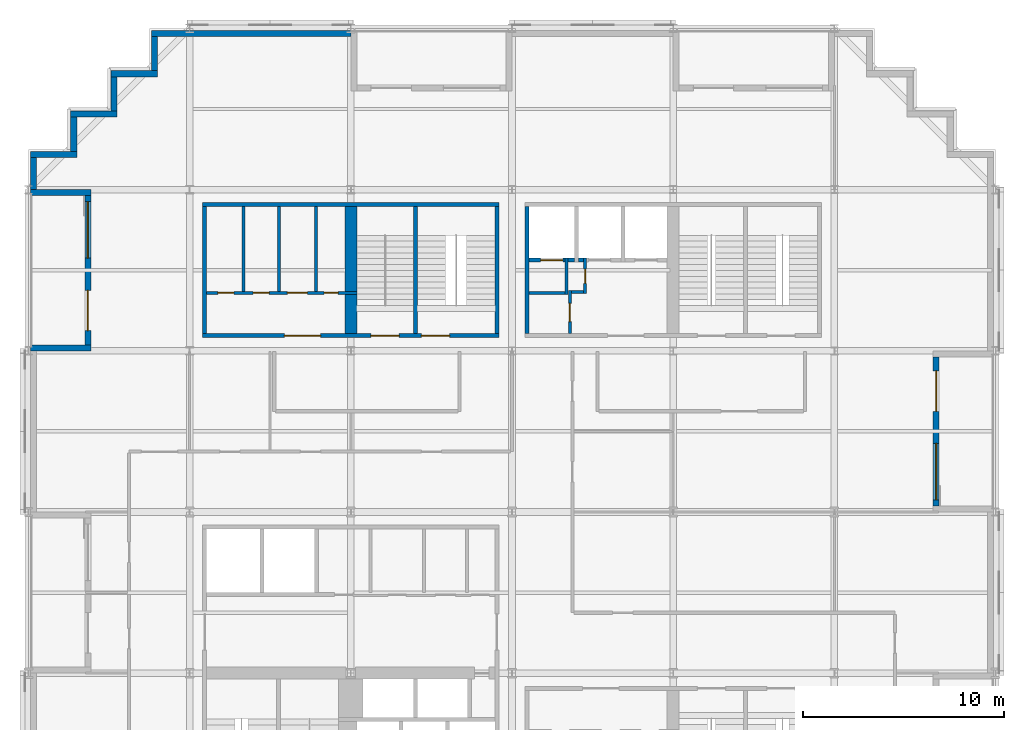
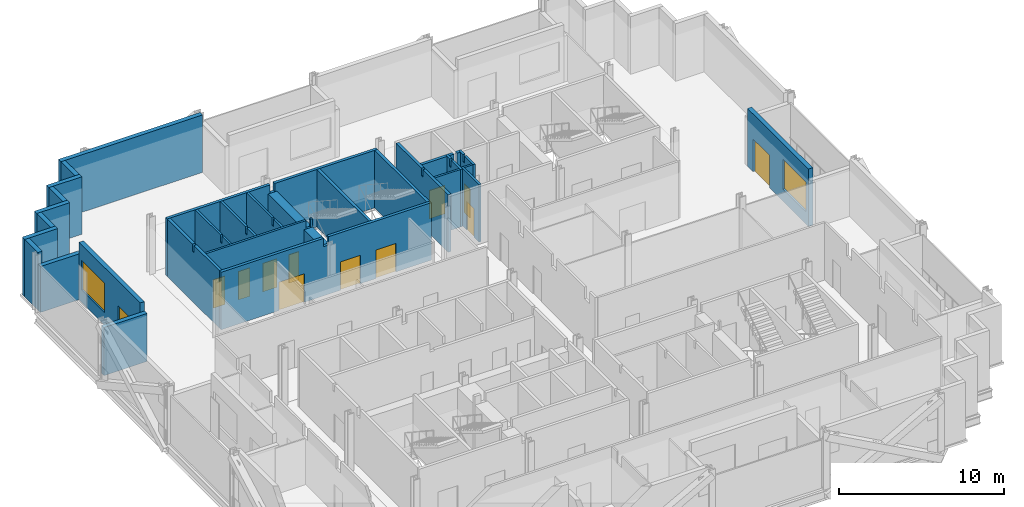
# One storey, part 8 of 12: 32 walls, 12 doors, 2 windows, 14 openings.
"""IFC4 building model written with IfcOpenShell, lengths in metres."""

from ifc_helpers import new_model, si_unit, direction, frame, frame_2d, origin, place, context, subcontext, project, spatial, polyline, rectangle, outline, extrude, material, layer, layer_set, type_object, element, fill, save


model = new_model("IFC4")

# Units and contexts
model_context = context("Model", 3, precision=1e-05, world=origin(), true_north=direction((0.0, 1.0)))
body_context = subcontext(model_context, "Body", "Model", "MODEL_VIEW")
ifc_project = project(units=[si_unit("LENGTHUNIT", "METRE"), si_unit("AREAUNIT", "SQUARE_METRE"), si_unit("VOLUMEUNIT", "CUBIC_METRE"), si_unit("PLANEANGLEUNIT", "RADIAN"), si_unit("MASSUNIT", "GRAM", prefix="KILO")], contexts=[model_context])

# Site, building, storey
site_placement = place(None, origin())
site = spatial("IfcSite", under=ifc_project, at=site_placement, CompositionType="ELEMENT")
building_placement = place(site_placement, origin())
building = spatial("IfcBuilding", under=site, at=building_placement, Name="Immortelle Media Tower", CompositionType="ELEMENT")
storey_placement = place(building_placement, frame((0.0, 0.0, 52.39990234375)))
storey = spatial("IfcBuildingStorey", under=building, at=storey_placement, Name="L08", CompositionType="ELEMENT", Elevation=52.39990234375)

# Wall, openings, doors
ifc_material_1 = material(Name="Fire-rated gypsum board", Category="gypsum")
ifc_layer_1 = layer(ifc_material_1, 0.02490234375)
ifc_material_2 = material(Name="Steel ASTM A653 SS Gr 50 stud frame with mineral wool", Category="steel")
ifc_layer_2 = layer(ifc_material_2, 0.10009765625)
ifc_layer_3 = layer(ifc_material_1, 0.02490234375)
ifc_layer_set_1 = layer_set([ifc_layer_1, ifc_layer_2, ifc_layer_3], Name="Steel ASTM A653 SS Gr 50 stud frame with mineral wool")
wall_type_1 = type_object("IfcWallType", Name="Core partition 150", PredefinedType="PARTITIONING", material=ifc_layer_set_1)
wall_1_placement = place(storey_placement, frame((8.85009765625, 34.875, 0.0), z_axis=(0.0, 0.0, 1.0), x_axis=(1.0, 0.0, 0.0)))
wall_1 = element("IfcWall", 1, at=wall_1_placement, inside=storey, type_object=wall_type_1, Name="Core partition NW", PredefinedType="PARTITIONING", context=body_context, shape_type="SweptSolid", body=[
    extrude(outline(polyline([(0.0, 0.0), (7.449951171875, 0.0), (7.449951171875, 4.25), (7.31689453125, 4.25), (7.31591796875, 3.632080078125), (6.98388671875, 3.632080078125), (6.98291015625, 4.25), (0.0, 4.25), (0.0, 0.0)])), frame((0.0, 0.074951171875, 0.0), z_axis=(0.0, -1.0, 0.0), x_axis=(1.0, 0.0, 0.0)), (0.0, 0.0, 1.0), 0.14990234375),
])
opening_1_placement = place(wall_1_placement, frame((0.550048828125, 0.0, 0.0)))
opening_1 = element("IfcOpeningElement", 2, at=opening_1_placement, cuts=wall_1, Name="Opening N2-K047", PredefinedType="OPENING", context=body_context, shape_type="SweptSolid", body=[
    extrude(rectangle(XDim=0.800048828125, YDim=2.10009765625, at=frame_2d((0.39990234375, 1.050048828125))), frame((0.0, 0.0849609375, 0.0), z_axis=(0.0, -1.0, 0.0), x_axis=(1.0, 0.0, 0.0)), (0.0, 0.0, 1.0), 0.169921875),
])
opening_2_placement = place(wall_1_placement, frame((2.300048828125, 0.0, 0.0)))
opening_2 = element("IfcOpeningElement", 3, at=opening_2_placement, cuts=wall_1, Name="Opening N2-K048", PredefinedType="OPENING", context=body_context, shape_type="SweptSolid", body=[
    extrude(rectangle(XDim=0.800048828125, YDim=2.10009765625, at=frame_2d((0.39990234375, 1.050048828125))), frame((0.0, 0.0849609375, 0.0), z_axis=(0.0, -1.0, 0.0), x_axis=(1.0, 0.0, 0.0)), (0.0, 0.0, 1.0), 0.169921875),
])
opening_3_placement = place(wall_1_placement, frame((4.0, 0.0, 0.0)))
opening_3 = element("IfcOpeningElement", 4, at=opening_3_placement, cuts=wall_1, Name="Opening N2-K049", PredefinedType="OPENING", context=body_context, shape_type="SweptSolid", body=[
    extrude(rectangle(XDim=1.0, YDim=2.10009765625, at=frame_2d((0.5, 1.050048828125))), frame((0.0, 0.0849609375, 0.0), z_axis=(0.0, -1.0, 0.0), x_axis=(1.0, 0.0, 0.0)), (0.0, 0.0, 1.0), 0.169921875),
])
opening_4_placement = place(wall_1_placement, frame((5.824951171875, 0.0, 0.0)))
opening_4 = element("IfcOpeningElement", 5, at=opening_4_placement, cuts=wall_1, Name="Opening N2-K050", PredefinedType="OPENING", context=body_context, shape_type="SweptSolid", body=[
    extrude(rectangle(XDim=0.699951171875, YDim=2.10009765625, at=frame_2d((0.35009765625, 1.050048828125))), frame((0.0, 0.0849609375, 0.0), z_axis=(0.0, -1.0, 0.0), x_axis=(1.0, 0.0, 0.0)), (0.0, 0.0, 1.0), 0.169921875),
])
ifc_material_3 = material(Name="Timber", Category="wood")
door_type_1 = type_object("IfcDoorType", Name="Accessible toilet door 1000 x 2100", OperationType="NOTDEFINED", PredefinedType="NOTDEFINED", material=ifc_material_3)
door_1_placement = place(opening_3_placement, origin())
door_1 = element("IfcDoor", 6, at=door_1_placement, inside=storey, type_object=door_type_1, Name="Accessible toilet N2-K049", OperationType="SINGLE_SWING_RIGHT", OverallHeight=2.10009765625, OverallWidth=1.0, PredefinedType="NOTDEFINED", context=body_context, shape_type="SweptSolid", body=[
    extrude(rectangle(XDim=1.0, YDim=2.10009765625, at=frame_2d((0.5, 1.050048828125))), frame((0.0, 0.02490234375, 0.0), z_axis=(0.0, -1.0, 0.0), x_axis=(1.0, 0.0, 0.0)), (0.0, 0.0, 1.0), 0.050048828125),
])
fill(opening_3, door_1)
ifc_material_4 = material(Name="Galvanised steel door leaf and frame ASTM A653", Category="steel")
door_type_2 = type_object("IfcDoorType", Name="Service door 700 x 2100", OperationType="NOTDEFINED", PredefinedType="NOTDEFINED", material=ifc_material_4)
door_2_placement = place(opening_4_placement, origin())
door_2 = element("IfcDoor", 7, at=door_2_placement, inside=storey, type_object=door_type_2, Name="Service N2-K050", OperationType="SINGLE_SWING_RIGHT", OverallHeight=2.10009765625, OverallWidth=0.699951171875, PredefinedType="NOTDEFINED", context=body_context, shape_type="SweptSolid", body=[
    extrude(rectangle(XDim=0.699951171875, YDim=2.10009765625, at=frame_2d((0.35009765625, 1.050048828125))), frame((0.0, 0.02490234375, 0.0), z_axis=(0.0, -1.0, 0.0), x_axis=(1.0, 0.0, 0.0)), (0.0, 0.0, 1.0), 0.050048828125),
])
fill(opening_4, door_2)
door_type_3 = type_object("IfcDoorType", Name="Toilet door 800 x 2100", OperationType="NOTDEFINED", PredefinedType="NOTDEFINED", material=ifc_material_3)
door_3_placement = place(opening_1_placement, origin())
door_3 = element("IfcDoor", 8, at=door_3_placement, inside=storey, type_object=door_type_3, Name="Toilet N2-K047", OperationType="SINGLE_SWING_LEFT", OverallHeight=2.10009765625, OverallWidth=0.800048828125, PredefinedType="NOTDEFINED", context=body_context, shape_type="SweptSolid", body=[
    extrude(rectangle(XDim=0.800048828125, YDim=2.10009765625, at=frame_2d((0.39990234375, 1.050048828125))), frame((0.0, 0.02490234375, 0.0), z_axis=(0.0, -1.0, 0.0), x_axis=(1.0, 0.0, 0.0)), (0.0, 0.0, 1.0), 0.050048828125),
])
fill(opening_1, door_3)
door_4_placement = place(opening_2_placement, origin())
door_4 = element("IfcDoor", 9, at=door_4_placement, inside=storey, type_object=door_type_3, Name="Toilet N2-K048", OperationType="SINGLE_SWING_RIGHT", OverallHeight=2.10009765625, OverallWidth=0.800048828125, PredefinedType="NOTDEFINED", context=body_context, shape_type="SweptSolid", body=[
    extrude(rectangle(XDim=0.800048828125, YDim=2.10009765625, at=frame_2d((0.39990234375, 1.050048828125))), frame((0.0, 0.02490234375, 0.0), z_axis=(0.0, -1.0, 0.0), x_axis=(1.0, 0.0, 0.0)), (0.0, 0.0, 1.0), 0.050048828125),
])
fill(opening_2, door_4)

# Walls
for number, where, z_axis, x_axis, name in (
    (10, (10.675048828125, 34.949951171875, 0.0), (0.0, 0.0, 1.0), (0.0, 1.0, 0.0), "Core partition NW"),
    (11, (12.425048828125, 34.949951171875, 0.0), (0.0, 0.0, 1.0), (0.0, 1.0, 0.0), "Core partition NW"),
    (12, (14.27490234375, 34.949951171875, 0.0), (0.0, 0.0, 1.0), (0.0, 1.0, 0.0), "Core partition NW"),
):
    element("IfcWall", number, at=place(storey_placement, frame(where, z_axis=z_axis, x_axis=x_axis)), inside=storey, type_object=wall_type_1, Name=name, PredefinedType="PARTITIONING", context=body_context, shape_type="SweptSolid", body=[
        extrude(outline(polyline([(0.0, 0.0), (4.199951171875, 0.0), (4.199951171875, 4.25), (1.138427734375, 4.25), (1.137451171875, 3.7080078125), (0.96240234375, 3.7080078125), (0.96142578125, 4.25), (0.0, 4.25), (0.0, 0.0)])), frame((0.0, 0.074951171875, 0.0), z_axis=(0.0, -1.0, 0.0), x_axis=(1.0, 0.0, 0.0)), (0.0, 0.0, 1.0), 0.14990234375),
    ])
wall_2_placement = place(storey_placement, frame((24.85009765625, 34.875, 0.0), z_axis=(0.0, 0.0, 1.0), x_axis=(1.0, 0.0, 0.0)))
element("IfcWall", 13, at=wall_2_placement, inside=storey, type_object=wall_type_1, Name="Core partition NE", PredefinedType="PARTITIONING", context=body_context, shape_type="SweptSolid", body=[
    extrude(rectangle(XDim=1.77490234375, YDim=0.14990234375, at=frame_2d((0.887451171875, 0.0))), origin(), (0.0, 0.0, 1.0), 4.25),
])
wall_3_placement = place(storey_placement, frame((26.699951171875, 34.800048828125, 0.0), z_axis=(0.0, 0.0, 1.0), x_axis=(0.0, 1.0, 0.0)))
element("IfcWall", 14, at=wall_3_placement, inside=storey, type_object=wall_type_1, Name="Core partition NE", PredefinedType="PARTITIONING", context=body_context, shape_type="SweptSolid", body=[
    extrude(outline(polyline([(0.0, 0.0), (1.800048828125, 0.0), (1.800048828125, 4.25), (1.28857421875, 4.25), (1.28759765625, 3.7080078125), (1.112548828125, 3.7080078125), (1.111572265625, 4.25), (0.0, 4.25), (0.0, 0.0)])), frame((0.0, 0.074951171875, 0.0), z_axis=(0.0, -1.0, 0.0), x_axis=(1.0, 0.0, 0.0)), (0.0, 0.0, 1.0), 0.14990234375),
])

# Wall, opening, door
wall_4_placement = place(storey_placement, frame((26.875, 32.85009765625, 0.0), z_axis=(0.0, 0.0, 1.0), x_axis=(0.0, 1.0, 0.0)))
wall_4 = element("IfcWall", 15, at=wall_4_placement, inside=storey, type_object=wall_type_1, Name="Core partition NE", PredefinedType="PARTITIONING", context=body_context, shape_type="SweptSolid", body=[
    extrude(rectangle(XDim=2.14990234375, YDim=0.14990234375, at=frame_2d((1.074951171875, 0.0))), origin(), (0.0, 0.0, 1.0), 4.25),
])
opening_5_placement = place(wall_4_placement, frame((0.60009765625, 0.0, 0.0)))
opening_5 = element("IfcOpeningElement", 16, at=opening_5_placement, cuts=wall_4, Name="Opening N2-K031", PredefinedType="OPENING", context=body_context, shape_type="SweptSolid", body=[
    extrude(rectangle(XDim=0.89990234375, YDim=2.10009765625, at=frame_2d((0.449951171875, 1.050048828125))), frame((0.0, 0.0849609375, 0.0), z_axis=(0.0, -1.0, 0.0), x_axis=(1.0, 0.0, 0.0)), (0.0, 0.0, 1.0), 0.169921875),
])
door_type_4 = type_object("IfcDoorType", Name="Service door 900 x 2100", OperationType="NOTDEFINED", PredefinedType="NOTDEFINED", material=ifc_material_4)
door_5_placement = place(opening_5_placement, origin())
door_5 = element("IfcDoor", 17, at=door_5_placement, inside=storey, type_object=door_type_4, Name="Service N2-K031", OperationType="SINGLE_SWING_LEFT", OverallHeight=2.10009765625, OverallWidth=0.89990234375, PredefinedType="NOTDEFINED", context=body_context, shape_type="SweptSolid", body=[
    extrude(rectangle(XDim=0.89990234375, YDim=2.10009765625, at=frame_2d((0.449951171875, 1.050048828125))), frame((0.0, 0.02490234375, 0.0), z_axis=(0.0, -1.0, 0.0), x_axis=(1.0, 0.0, 0.0)), (0.0, 0.0, 1.0), 0.050048828125),
])
fill(opening_5, door_5)

# Wall
wall_5_placement = place(storey_placement, frame((26.949951171875, 34.925048828125, 0.0), z_axis=(0.0, 0.0, 1.0), x_axis=(1.0, 0.0, 0.0)))
element("IfcWall", 18, at=wall_5_placement, inside=storey, type_object=wall_type_1, Name="Core partition NE", PredefinedType="PARTITIONING", context=body_context, shape_type="SweptSolid", body=[
    extrude(rectangle(XDim=0.60009765625, YDim=0.14990234375, at=frame_2d((0.300048828125, 0.0))), origin(), (0.0, 0.0, 1.0), 4.25),
])

# Wall, opening, door
wall_6_placement = place(storey_placement, frame((27.625, 34.85009765625, 0.0), z_axis=(0.0, 0.0, 1.0), x_axis=(0.0, 1.0, 0.0)))
wall_6 = element("IfcWall", 19, at=wall_6_placement, inside=storey, type_object=wall_type_1, Name="Core partition NE", PredefinedType="PARTITIONING", context=body_context, shape_type="SweptSolid", body=[
    extrude(outline(polyline([(0.0, 0.0), (1.75, 0.0), (1.75, 4.25), (1.238525390625, 4.25), (1.237548828125, 3.7080078125), (1.0625, 3.7080078125), (1.0615234375, 4.25), (0.0, 4.25), (0.0, 0.0)])), frame((0.0, 0.074951171875, 0.0), z_axis=(0.0, -1.0, 0.0), x_axis=(1.0, 0.0, 0.0)), (0.0, 0.0, 1.0), 0.14990234375),
])
opening_6_placement = place(wall_6_placement, frame((0.5, 0.0, 0.0)))
opening_6 = element("IfcOpeningElement", 20, at=opening_6_placement, cuts=wall_6, Name="Opening N2-K032", PredefinedType="OPENING", context=body_context, shape_type="SweptSolid", body=[
    extrude(rectangle(XDim=0.699951171875, YDim=2.10009765625, at=frame_2d((0.35009765625, 1.050048828125))), frame((0.0, 0.0849609375, 0.0), z_axis=(0.0, -1.0, 0.0), x_axis=(1.0, 0.0, 0.0)), (0.0, 0.0, 1.0), 0.169921875),
])
door_6_placement = place(opening_6_placement, origin())
door_6 = element("IfcDoor", 21, at=door_6_placement, inside=storey, type_object=door_type_2, Name="Service N2-K032", OperationType="SINGLE_SWING_RIGHT", OverallHeight=2.10009765625, OverallWidth=0.699951171875, PredefinedType="NOTDEFINED", context=body_context, shape_type="SweptSolid", body=[
    extrude(rectangle(XDim=0.699951171875, YDim=2.10009765625, at=frame_2d((0.35009765625, 1.050048828125))), frame((0.0, 0.02490234375, 0.0), z_axis=(0.0, -1.0, 0.0), x_axis=(1.0, 0.0, 0.0)), (0.0, 0.0, 1.0), 0.050048828125),
])
fill(opening_6, door_6)

# Walls
ifc_layer_4 = layer(ifc_material_1, 0.03759765625)
ifc_layer_5 = layer(ifc_material_2, 0.125)
ifc_layer_6 = layer(ifc_material_1, 0.03759765625)
ifc_layer_set_2 = layer_set([ifc_layer_4, ifc_layer_5, ifc_layer_6], Name="Steel ASTM A653 SS Gr 50 stud frame with mineral wool")
wall_type_2 = type_object("IfcWallType", Name="Core shaft wall 200", PredefinedType="PARTITIONING", material=ifc_layer_set_2)
for number, where, z_axis, x_axis, name in (
    (22, (8.75, 32.85009765625, 0.0), (0.0, 0.0, 1.0), (0.0, 1.0, 0.0), "Core shaft wall NW"),
    (23, (24.75, 32.85009765625, 0.0), (0.0, 0.0, 1.0), (0.0, 1.0, 0.0), "Core shaft wall NE"),
):
    element("IfcWall", number, at=place(storey_placement, frame(where, z_axis=z_axis, x_axis=x_axis)), inside=storey, type_object=wall_type_2, Name=name, PredefinedType="PARTITIONING", context=body_context, shape_type="SweptSolid", body=[
        extrude(outline(polyline([(0.0, 0.0), (6.2998046875, 0.0), (6.300048828125, 4.25), (3.238525390625, 4.25), (3.237548828125, 3.7080078125), (3.0625, 3.7080078125), (3.0615234375, 4.25), (0.0, 4.25), (0.0, 0.0)])), frame((0.0, 0.10009765625, 0.0), z_axis=(0.0, -1.0, 0.0), x_axis=(1.0, 0.0, 0.0)), (0.0, 0.0, 1.0), 0.199951171875),
    ])

# Wall, opening, door
wall_7_placement = place(storey_placement, frame((24.85009765625, 36.5, 0.0), z_axis=(0.0, 0.0, 1.0), x_axis=(1.0, 0.0, 0.0)))
wall_7 = element("IfcWall", 24, at=wall_7_placement, inside=storey, type_object=wall_type_2, Name="Core shaft wall NE", PredefinedType="PARTITIONING", context=body_context, shape_type="SweptSolid", body=[
    extrude(rectangle(XDim=1.77490234375, YDim=0.199951171875, at=frame_2d((0.887451171875, 0.0))), origin(), (0.0, 0.0, 1.0), 4.25),
])
opening_7_placement = place(wall_7_placement, frame((0.574951171875, 0.0, 0.0)))
opening_7 = element("IfcOpeningElement", 25, at=opening_7_placement, cuts=wall_7, Name="Opening LD", PredefinedType="OPENING", context=body_context, shape_type="SweptSolid", body=[
    extrude(rectangle(XDim=1.10009765625, YDim=2.10009765625, at=frame_2d((0.550048828125, 1.050048828125))), frame((0.0, 0.10986328125, 0.0), z_axis=(0.0, -1.0, 0.0), x_axis=(1.0, 0.0, 0.0)), (0.0, 0.0, 1.0), 0.219970703125),
])
ifc_material_5 = material(Name="Stainless steel AISI 304", Category="steel")
door_type_5 = type_object("IfcDoorType", Name="Landing door 1100 x 2100", OperationType="SLIDING_TO_LEFT", PredefinedType="NOTDEFINED", material=ifc_material_5)
door_7_placement = place(opening_7_placement, origin())
door_7 = element("IfcDoor", 26, at=door_7_placement, inside=storey, type_object=door_type_5, Name="Landing door LR1 L08", OperationType="SLIDING_TO_LEFT", OverallHeight=2.10009765625, OverallWidth=1.10009765625, PredefinedType="NOTDEFINED", context=body_context, shape_type="SweptSolid", body=[
    extrude(rectangle(XDim=1.10009765625, YDim=2.10009765625, at=frame_2d((0.550048828125, 1.050048828125))), frame((0.0, 0.02490234375, 0.0), z_axis=(0.0, -1.0, 0.0), x_axis=(1.0, 0.0, 0.0)), (0.0, 0.0, 1.0), 0.050048828125),
])
fill(opening_7, door_7)

# Walls
wall_8_placement = place(storey_placement, frame((26.77490234375, 36.5, 0.0), z_axis=(0.0, 0.0, 1.0), x_axis=(1.0, 0.0, 0.0)))
element("IfcWall", 27, at=wall_8_placement, inside=storey, type_object=wall_type_2, Name="Core shaft wall NE", PredefinedType="PARTITIONING", context=body_context, shape_type="SweptSolid", body=[
    extrude(rectangle(XDim=0.3251953125, YDim=0.199951171875, at=frame_2d((0.16259765625, 0.0))), origin(), (0.0, 0.0, 1.0), 4.25),
])
wall_9_placement = place(storey_placement, frame((27.300048828125, 36.5, 0.0), z_axis=(0.0, 0.0, 1.0), x_axis=(1.0, 0.0, 0.0)))
element("IfcWall", 28, at=wall_9_placement, inside=storey, type_object=wall_type_2, Name="Core shaft wall NE", PredefinedType="PARTITIONING", context=body_context, shape_type="SweptSolid", body=[
    extrude(rectangle(XDim=0.25, YDim=0.199951171875, at=frame_2d((0.125, 0.0))), origin(), (0.0, 0.0, 1.0), 4.25),
])
ifc_material_6 = material(Name="Pale aluminium cladding panel", Category="aluminium")
ifc_layer_7 = layer(ifc_material_6, 0.030029296875)
ifc_layer_8 = layer(ifc_material_2, 0.257568359375)
ifc_material_7 = material(Name="Moisture-resistant gypsum board", Category="gypsum")
ifc_layer_9 = layer(ifc_material_7, 0.012451171875)
ifc_layer_set_3 = layer_set([ifc_layer_7, ifc_layer_8, ifc_layer_9], Name="Steel ASTM A653 SS Gr 50 stud frame with mineral wool")
wall_type_3 = type_object("IfcWallType", Name="Facade wall 300", PredefinedType="SOLIDWALL", material=ifc_layer_set_3)
wall_10_placement = place(storey_placement, frame((0.25, 41.60009765625, 0.0), z_axis=(0.0, 0.0, 1.0), x_axis=(0.0, -1.0, 0.0)))
element("IfcWall", 29, at=wall_10_placement, inside=storey, type_object=wall_type_3, Name="Facade wall L08 W0", PredefinedType="SOLIDWALL", context=body_context, shape_type="SweptSolid", body=[
    extrude(rectangle(XDim=1.60009765625, YDim=0.300048828125, at=frame_2d((0.800048828125, 0.0))), origin(), (0.0, 0.0, 1.0), 4.25),
])

# Wall, openings, door, window
wall_11_placement = place(storey_placement, frame((2.949951171875, 39.699951171875, 0.0), z_axis=(0.0, 0.0, 1.0), x_axis=(0.0, -1.0, 0.0)))
wall_11 = element("IfcWall", 30, at=wall_11_placement, inside=storey, type_object=wall_type_3, Name="Loggia wall L08 W0", PredefinedType="SOLIDWALL", context=body_context, shape_type="SweptSolid", body=[
    extrude(rectangle(XDim=7.39990234375, YDim=0.300048828125, at=frame_2d((3.699951171875, 0.0))), origin(), (0.0, 0.0, 1.0), 4.25),
])
opening_8_placement = place(wall_11_placement, frame((0.300048828125, 0.0, 0.89990234375)))
opening_8 = element("IfcOpeningElement", 31, at=opening_8_placement, cuts=wall_11, Name="Opening W1", PredefinedType="OPENING", context=body_context, shape_type="SweptSolid", body=[
    extrude(rectangle(XDim=2.800048828125, YDim=2.199951171875, at=frame_2d((1.39990234375, 1.10009765625))), frame((0.0, 0.159912109375, 0.0), z_axis=(0.0, -1.0, 0.0), x_axis=(1.0, 0.0, 0.0)), (0.0, 0.0, 1.0), 0.320068359375),
])
opening_9_placement = place(wall_11_placement, frame((4.699951171875, 0.0, 0.0)))
opening_9 = element("IfcOpeningElement", 32, at=opening_9_placement, cuts=wall_11, Name="Opening N2-E001", PredefinedType="OPENING", context=body_context, shape_type="SweptSolid", body=[
    extrude(rectangle(XDim=2.0, YDim=2.39990234375, at=frame_2d((1.0, 1.199951171875))), frame((0.0, 0.159912109375, 0.0), z_axis=(0.0, -1.0, 0.0), x_axis=(1.0, 0.0, 0.0)), (0.0, 0.0, 1.0), 0.320068359375),
])
ifc_material_8 = material(Name="Aluminium frame, glazed leaves", Category="aluminium")
door_type_6 = type_object("IfcDoorType", Name="Loggia door 2000 x 2400", OperationType="DOUBLE_DOOR_SINGLE_SWING", PredefinedType="DOOR", material=ifc_material_8)
door_8_placement = place(opening_9_placement, origin())
door_8 = element("IfcDoor", 33, at=door_8_placement, inside=storey, type_object=door_type_6, Name="Door N2-E001", OperationType="DOUBLE_DOOR_SINGLE_SWING", OverallHeight=2.39990234375, OverallWidth=2.0, PredefinedType="DOOR", context=body_context, shape_type="SweptSolid", body=[
    extrude(rectangle(XDim=2.0, YDim=2.39990234375, at=frame_2d((1.0, 1.199951171875))), frame((0.0, 0.02490234375, 0.0), z_axis=(0.0, -1.0, 0.0), x_axis=(1.0, 0.0, 0.0)), (0.0, 0.0, 1.0), 0.050048828125),
])
fill(opening_9, door_8)
ifc_material_9 = material(Name="Aluminium frame", Category="aluminium")
window_type = type_object("IfcWindowType", Name="Window 2800 x 2200", PartitioningType="SINGLE_PANEL", PredefinedType="WINDOW", material=ifc_material_9)
window_1_placement = place(opening_8_placement, origin())
window_1 = element("IfcWindow", 34, at=window_1_placement, inside=storey, type_object=window_type, Name="Window L08 L08-R0-B0", OverallHeight=2.199951171875, OverallWidth=2.800048828125, PartitioningType="SINGLE_PANEL", PredefinedType="WINDOW", context=body_context, shape_type="SweptSolid", body=[
    extrude(rectangle(XDim=2.800048828125, YDim=2.199951171875, at=frame_2d((1.39990234375, 1.10009765625))), frame((0.0, 0.030029296875, 0.0), z_axis=(0.0, -1.0, 0.0), x_axis=(1.0, 0.0, 0.0)), (0.0, 0.0, 1.0), 0.06005859375),
])
fill(opening_8, window_1)

# Walls
wall_12_placement = place(storey_placement, frame((0.10009765625, 39.85009765625, 0.0), z_axis=(0.0, 0.0, 1.0), x_axis=(1.0, 0.0, 0.0)))
element("IfcWall", 35, at=wall_12_placement, inside=storey, type_object=wall_type_3, Name="Loggia cheek wall L08 W", PredefinedType="SOLIDWALL", context=body_context, shape_type="SweptSolid", body=[
    extrude(rectangle(XDim=3.0, YDim=0.300048828125, at=frame_2d((1.5, 0.0))), origin(), (0.0, 0.0, 1.0), 3.39013671875),
])
wall_13_placement = place(storey_placement, frame((0.10009765625, 32.14990234375, 0.0), z_axis=(0.0, 0.0, 1.0), x_axis=(1.0, 0.0, 0.0)))
element("IfcWall", 36, at=wall_13_placement, inside=storey, type_object=wall_type_3, Name="Loggia cheek wall L08 W", PredefinedType="SOLIDWALL", context=body_context, shape_type="SweptSolid", body=[
    extrude(rectangle(XDim=3.0, YDim=0.300048828125, at=frame_2d((1.5, 0.0))), origin(), (0.0, 0.0, 1.0), 3.552978515625),
])

# Wall, openings, door, window
wall_14_placement = place(storey_placement, frame((45.050048828125, 24.300048828125, 0.0), z_axis=(0.0, 0.0, 1.0), x_axis=(0.0, 1.0, 0.0)))
wall_14 = element("IfcWall", 37, at=wall_14_placement, inside=storey, type_object=wall_type_3, Name="Loggia wall L08 E14", PredefinedType="SOLIDWALL", context=body_context, shape_type="SweptSolid", body=[
    extrude(rectangle(XDim=7.39990234375, YDim=0.300048828125, at=frame_2d((3.699951171875, 0.0))), origin(), (0.0, 0.0, 1.0), 4.25),
])
opening_10_placement = place(wall_14_placement, frame((0.300048828125, 0.0, 0.89990234375)))
opening_10 = element("IfcOpeningElement", 38, at=opening_10_placement, cuts=wall_14, Name="Opening W1", PredefinedType="OPENING", context=body_context, shape_type="SweptSolid", body=[
    extrude(rectangle(XDim=2.800048828125, YDim=2.199951171875, at=frame_2d((1.39990234375, 1.10009765625))), frame((0.0, 0.159912109375, 0.0), z_axis=(0.0, -1.0, 0.0), x_axis=(1.0, 0.0, 0.0)), (0.0, 0.0, 1.0), 0.320068359375),
])
opening_11_placement = place(wall_14_placement, frame((4.699951171875, 0.0, 0.0)))
opening_11 = element("IfcOpeningElement", 39, at=opening_11_placement, cuts=wall_14, Name="Opening N2-E006", PredefinedType="OPENING", context=body_context, shape_type="SweptSolid", body=[
    extrude(rectangle(XDim=2.0, YDim=2.39990234375, at=frame_2d((1.0, 1.199951171875))), frame((0.0, 0.159912109375, 0.0), z_axis=(0.0, -1.0, 0.0), x_axis=(1.0, 0.0, 0.0)), (0.0, 0.0, 1.0), 0.320068359375),
])
door_9_placement = place(opening_11_placement, origin())
door_9 = element("IfcDoor", 40, at=door_9_placement, inside=storey, type_object=door_type_6, Name="Door N2-E006", OperationType="DOUBLE_DOOR_SINGLE_SWING", OverallHeight=2.39990234375, OverallWidth=2.0, PredefinedType="DOOR", context=body_context, shape_type="SweptSolid", body=[
    extrude(rectangle(XDim=2.0, YDim=2.39990234375, at=frame_2d((1.0, 1.199951171875))), frame((0.0, 0.02490234375, 0.0), z_axis=(0.0, -1.0, 0.0), x_axis=(1.0, 0.0, 0.0)), (0.0, 0.0, 1.0), 0.050048828125),
])
fill(opening_11, door_9)
window_2_placement = place(opening_10_placement, origin())
window_2 = element("IfcWindow", 41, at=window_2_placement, inside=storey, type_object=window_type, Name="Window L08 L08-R14-B2", OverallHeight=2.199951171875, OverallWidth=2.800048828125, PartitioningType="SINGLE_PANEL", PredefinedType="WINDOW", context=body_context, shape_type="SweptSolid", body=[
    extrude(rectangle(XDim=2.800048828125, YDim=2.199951171875, at=frame_2d((1.39990234375, 1.10009765625))), frame((0.0, 0.030029296875, 0.0), z_axis=(0.0, -1.0, 0.0), x_axis=(1.0, 0.0, 0.0)), (0.0, 0.0, 1.0), 0.06005859375),
])
fill(opening_10, window_2)

# Walls
wall_15_placement = place(storey_placement, frame((16.0, 47.75, 0.0), z_axis=(0.0, 0.0, 1.0), x_axis=(-1.0, 0.0, 0.0)))
element("IfcWall", 42, at=wall_15_placement, inside=storey, type_object=wall_type_3, Name="Facade wall L08 N21", PredefinedType="SOLIDWALL", context=body_context, shape_type="SweptSolid", body=[
    extrude(rectangle(XDim=9.89990234375, YDim=0.300048828125, at=frame_2d((4.949951171875, 0.0))), origin(), (0.0, 0.0, 1.0), 4.25),
])
wall_16_placement = place(storey_placement, frame((6.25, 47.60009765625, 0.0), z_axis=(0.0, 0.0, 1.0), x_axis=(0.0, -1.0, 0.0)))
element("IfcWall", 43, at=wall_16_placement, inside=storey, type_object=wall_type_3, Name="Facade wall L08 W22", PredefinedType="SOLIDWALL", context=body_context, shape_type="SweptSolid", body=[
    extrude(rectangle(XDim=1.7001953125, YDim=0.300048828125, at=frame_2d((0.85009765625, 0.0))), origin(), (0.0, 0.0, 1.0), 4.25),
])
wall_17_placement = place(storey_placement, frame((6.39990234375, 45.75, 0.0), z_axis=(0.0, 0.0, 1.0), x_axis=(-1.0, 0.0, 0.0)))
element("IfcWall", 44, at=wall_17_placement, inside=storey, type_object=wall_type_3, Name="Facade wall L08 N23", PredefinedType="SOLIDWALL", context=body_context, shape_type="SweptSolid", body=[
    extrude(rectangle(XDim=2.2998046875, YDim=0.300048828125, at=frame_2d((1.14990234375, 0.0))), origin(), (0.0, 0.0, 1.0), 4.25),
])
wall_18_placement = place(storey_placement, frame((4.25, 45.60009765625, 0.0), z_axis=(0.0, 0.0, 1.0), x_axis=(0.0, -1.0, 0.0)))
element("IfcWall", 45, at=wall_18_placement, inside=storey, type_object=wall_type_3, Name="Facade wall L08 W24", PredefinedType="SOLIDWALL", context=body_context, shape_type="SweptSolid", body=[
    extrude(rectangle(XDim=1.7001953125, YDim=0.300048828125, at=frame_2d((0.85009765625, 0.0))), origin(), (0.0, 0.0, 1.0), 4.25),
])
wall_19_placement = place(storey_placement, frame((4.39990234375, 43.75, 0.0), z_axis=(0.0, 0.0, 1.0), x_axis=(-1.0, 0.0, 0.0)))
element("IfcWall", 46, at=wall_19_placement, inside=storey, type_object=wall_type_3, Name="Facade wall L08 N25", PredefinedType="SOLIDWALL", context=body_context, shape_type="SweptSolid", body=[
    extrude(rectangle(XDim=2.2998046875, YDim=0.300048828125, at=frame_2d((1.14990234375, 0.0))), origin(), (0.0, 0.0, 1.0), 4.25),
])
wall_20_placement = place(storey_placement, frame((2.25, 43.60009765625, 0.0), z_axis=(0.0, 0.0, 1.0), x_axis=(0.0, -1.0, 0.0)))
element("IfcWall", 47, at=wall_20_placement, inside=storey, type_object=wall_type_3, Name="Facade wall L08 W26", PredefinedType="SOLIDWALL", context=body_context, shape_type="SweptSolid", body=[
    extrude(rectangle(XDim=1.7001953125, YDim=0.300048828125, at=frame_2d((0.85009765625, 0.0))), origin(), (0.0, 0.0, 1.0), 4.25),
])
wall_21_placement = place(storey_placement, frame((2.39990234375, 41.75, 0.0), z_axis=(0.0, 0.0, 1.0), x_axis=(-1.0, 0.0, 0.0)))
element("IfcWall", 48, at=wall_21_placement, inside=storey, type_object=wall_type_3, Name="Facade wall L08 N27", PredefinedType="SOLIDWALL", context=body_context, shape_type="SweptSolid", body=[
    extrude(rectangle(XDim=2.2998046875, YDim=0.300048828125, at=frame_2d((1.14990234375, 0.0))), origin(), (0.0, 0.0, 1.0), 4.25),
])

# Wall, openings, doors
ifc_material_10 = material(Name="Concrete C60", Category="concrete")
ifc_layer_10 = layer(ifc_material_10, 0.199951171875)
ifc_layer_set_4 = layer_set([ifc_layer_10], Name="Concrete C60")
wall_type_4 = type_object("IfcWallType", Name="Stair shaft wall 200", PredefinedType="PARTITIONING", material=ifc_layer_set_4)
wall_22_placement = place(storey_placement, frame((8.64990234375, 32.75, 0.0), z_axis=(0.0, 0.0, 1.0), x_axis=(1.0, 0.0, 0.0)))
wall_22 = element("IfcWall", 49, at=wall_22_placement, inside=storey, type_object=wall_type_4, Name="Stair shaft wall NW", PredefinedType="PARTITIONING", context=body_context, shape_type="SweptSolid", body=[
    extrude(outline(polyline([(0.0, 0.0), (14.7001953125, 0.0), (14.699951171875, 4.25), (7.51708984375, 4.25), (7.51611328125, 3.632080078125), (7.18408203125, 3.632080078125), (7.18310546875, 4.25), (0.0, 4.25), (0.0, 0.0)])), frame((0.0, 0.10009765625, 0.0), z_axis=(0.0, -1.0, 0.0), x_axis=(1.0, 0.0, 0.0)), (0.0, 0.0, 1.0), 0.199951171875),
])
opening_12_placement = place(wall_22_placement, frame((4.050048828125, 0.0, 0.0)))
opening_12 = element("IfcOpeningElement", 50, at=opening_12_placement, cuts=wall_22, Name="Opening N2-K026", PredefinedType="OPENING", context=body_context, shape_type="SweptSolid", body=[
    extrude(rectangle(XDim=1.800048828125, YDim=2.10009765625, at=frame_2d((0.89990234375, 1.050048828125))), frame((0.0, 0.10986328125, 0.0), z_axis=(0.0, -1.0, 0.0), x_axis=(1.0, 0.0, 0.0)), (0.0, 0.0, 1.0), 0.219970703125),
])
opening_13_placement = place(wall_22_placement, frame((8.35009765625, 0.0, 0.0)))
opening_13 = element("IfcOpeningElement", 51, at=opening_13_placement, cuts=wall_22, Name="Opening N2-K028", PredefinedType="OPENING", context=body_context, shape_type="SweptSolid", body=[
    extrude(rectangle(XDim=1.39990234375, YDim=2.10009765625, at=frame_2d((0.699951171875, 1.050048828125))), frame((0.0, 0.10986328125, 0.0), z_axis=(0.0, -1.0, 0.0), x_axis=(1.0, 0.0, 0.0)), (0.0, 0.0, 1.0), 0.219970703125),
])
opening_14_placement = place(wall_22_placement, frame((10.85009765625, 0.0, 0.0)))
opening_14 = element("IfcOpeningElement", 52, at=opening_14_placement, cuts=wall_22, Name="Opening N2-K029", PredefinedType="OPENING", context=body_context, shape_type="SweptSolid", body=[
    extrude(rectangle(XDim=1.39990234375, YDim=2.10009765625, at=frame_2d((0.699951171875, 1.050048828125))), frame((0.0, 0.10986328125, 0.0), z_axis=(0.0, -1.0, 0.0), x_axis=(1.0, 0.0, 0.0)), (0.0, 0.0, 1.0), 0.219970703125),
])
door_type_7 = type_object("IfcDoorType", Name="Lift lobby door 1800 x 2100", OperationType="DOUBLE_DOOR_SINGLE_SWING", PredefinedType="NOTDEFINED", material=ifc_material_4)
door_10_placement = place(opening_12_placement, origin())
door_10 = element("IfcDoor", 53, at=door_10_placement, inside=storey, type_object=door_type_7, Name="Lift lobby N2-K026", OperationType="DOUBLE_DOOR_SINGLE_SWING", OverallHeight=2.10009765625, OverallWidth=1.800048828125, PredefinedType="NOTDEFINED", context=body_context, shape_type="SweptSolid", body=[
    extrude(rectangle(XDim=1.800048828125, YDim=2.10009765625, at=frame_2d((0.89990234375, 1.050048828125))), frame((0.0, 0.02490234375, 0.0), z_axis=(0.0, -1.0, 0.0), x_axis=(1.0, 0.0, 0.0)), (0.0, 0.0, 1.0), 0.050048828125),
])
fill(opening_12, door_10)
door_type_8 = type_object("IfcDoorType", Name="Stair door 1400 x 2100", OperationType="DOUBLE_DOOR_SINGLE_SWING", PredefinedType="NOTDEFINED", material=ifc_material_4)
door_11_placement = place(opening_13_placement, origin())
door_11 = element("IfcDoor", 54, at=door_11_placement, inside=storey, type_object=door_type_8, Name="Stair N2-K028", OperationType="DOUBLE_DOOR_SINGLE_SWING", OverallHeight=2.10009765625, OverallWidth=1.39990234375, PredefinedType="NOTDEFINED", context=body_context, shape_type="SweptSolid", body=[
    extrude(rectangle(XDim=1.39990234375, YDim=2.10009765625, at=frame_2d((0.699951171875, 1.050048828125))), frame((0.0, 0.02490234375, 0.0), z_axis=(0.0, -1.0, 0.0), x_axis=(1.0, 0.0, 0.0)), (0.0, 0.0, 1.0), 0.050048828125),
])
fill(opening_13, door_11)
door_12_placement = place(opening_14_placement, origin())
door_12 = element("IfcDoor", 55, at=door_12_placement, inside=storey, type_object=door_type_8, Name="Stair N2-K029", OperationType="DOUBLE_DOOR_SINGLE_SWING", OverallHeight=2.10009765625, OverallWidth=1.39990234375, PredefinedType="NOTDEFINED", context=body_context, shape_type="SweptSolid", body=[
    extrude(rectangle(XDim=1.39990234375, YDim=2.10009765625, at=frame_2d((0.699951171875, 1.050048828125))), frame((0.0, 0.02490234375, 0.0), z_axis=(0.0, -1.0, 0.0), x_axis=(1.0, 0.0, 0.0)), (0.0, 0.0, 1.0), 0.050048828125),
])
fill(opening_14, door_12)

# Walls
wall_23_placement = place(storey_placement, frame((8.64990234375, 39.25, 0.0), z_axis=(0.0, 0.0, 1.0), x_axis=(1.0, 0.0, 0.0)))
element("IfcWall", 56, at=wall_23_placement, inside=storey, type_object=wall_type_4, Name="Stair shaft wall NW", PredefinedType="PARTITIONING", context=body_context, shape_type="SweptSolid", body=[
    extrude(outline(polyline([(0.0, 0.0), (14.7001953125, 0.0), (14.699951171875, 4.25), (7.51708984375, 4.25), (7.51611328125, 3.632080078125), (7.18408203125, 3.632080078125), (7.18310546875, 4.25), (0.0, 4.25), (0.0, 0.0)])), frame((0.0, 0.10009765625, 0.0), z_axis=(0.0, -1.0, 0.0), x_axis=(1.0, 0.0, 0.0)), (0.0, 0.0, 1.0), 0.199951171875),
])
for number, where, z_axis, x_axis, name in (
    (57, (19.199951171875, 32.85009765625, 0.0), (0.0, 0.0, 1.0), (0.0, 1.0, 0.0), "Stair shaft wall NW"),
    (58, (23.25, 32.85009765625, 0.0), (0.0, 0.0, 1.0), (0.0, 1.0, 0.0), "Stair shaft wall NW"),
):
    element("IfcWall", number, at=place(storey_placement, frame(where, z_axis=z_axis, x_axis=x_axis)), inside=storey, type_object=wall_type_4, Name=name, PredefinedType="PARTITIONING", context=body_context, shape_type="SweptSolid", body=[
        extrude(rectangle(XDim=6.2998046875, YDim=0.199951171875, at=frame_2d((3.14990234375, 0.0))), origin(), (0.0, 0.0, 1.0), 4.25),
    ])
ifc_layer_11 = layer(ifc_material_10, 0.60009765625)
ifc_layer_set_5 = layer_set([ifc_layer_11], Name="Concrete C60")
wall_type_5 = type_object("IfcWallType", Name="Stair shaft wall 600", PredefinedType="PARTITIONING", material=ifc_layer_set_5)
wall_24_placement = place(storey_placement, frame((16.0, 32.85009765625, 0.0), z_axis=(0.0, 0.0, 1.0), x_axis=(0.0, 1.0, 0.0)))
element("IfcWall", 59, at=wall_24_placement, inside=storey, type_object=wall_type_5, Name="Stair shaft wall NW", PredefinedType="PARTITIONING", context=body_context, shape_type="SweptSolid", body=[
    extrude(rectangle(XDim=1.949951171875, YDim=0.60009765625, at=frame_2d((0.97509765625, 0.0))), origin(), (0.0, 0.0, 1.0), 3.632080078125),
])
wall_25_placement = place(storey_placement, frame((16.0, 34.949951171875, 0.0), z_axis=(0.0, 0.0, 1.0), x_axis=(0.0, 1.0, 0.0)))
element("IfcWall", 60, at=wall_25_placement, inside=storey, type_object=wall_type_5, Name="Stair shaft wall NW", PredefinedType="PARTITIONING", context=body_context, shape_type="SweptSolid", body=[
    extrude(rectangle(XDim=4.199951171875, YDim=0.60009765625, at=frame_2d((2.10009765625, 0.0))), origin(), (0.0, 0.0, 1.0), 3.632080078125),
])

save(model, "model.ifc")
